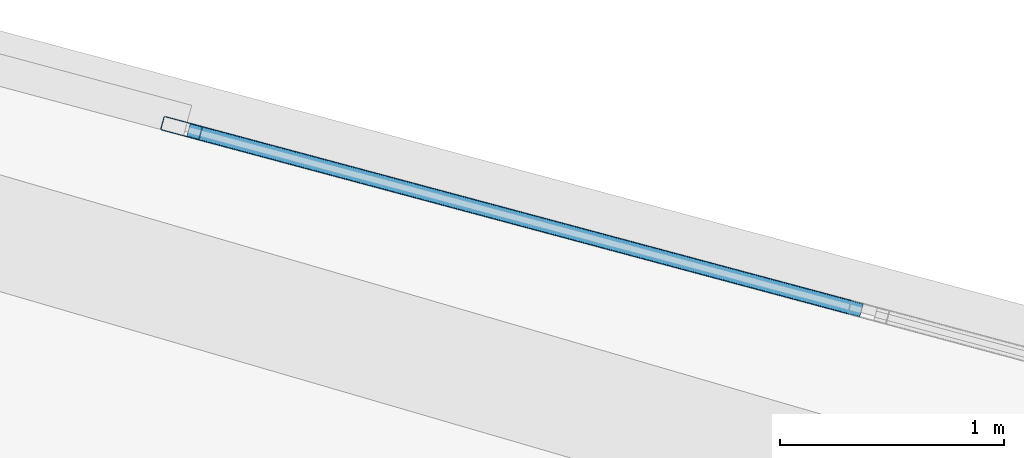
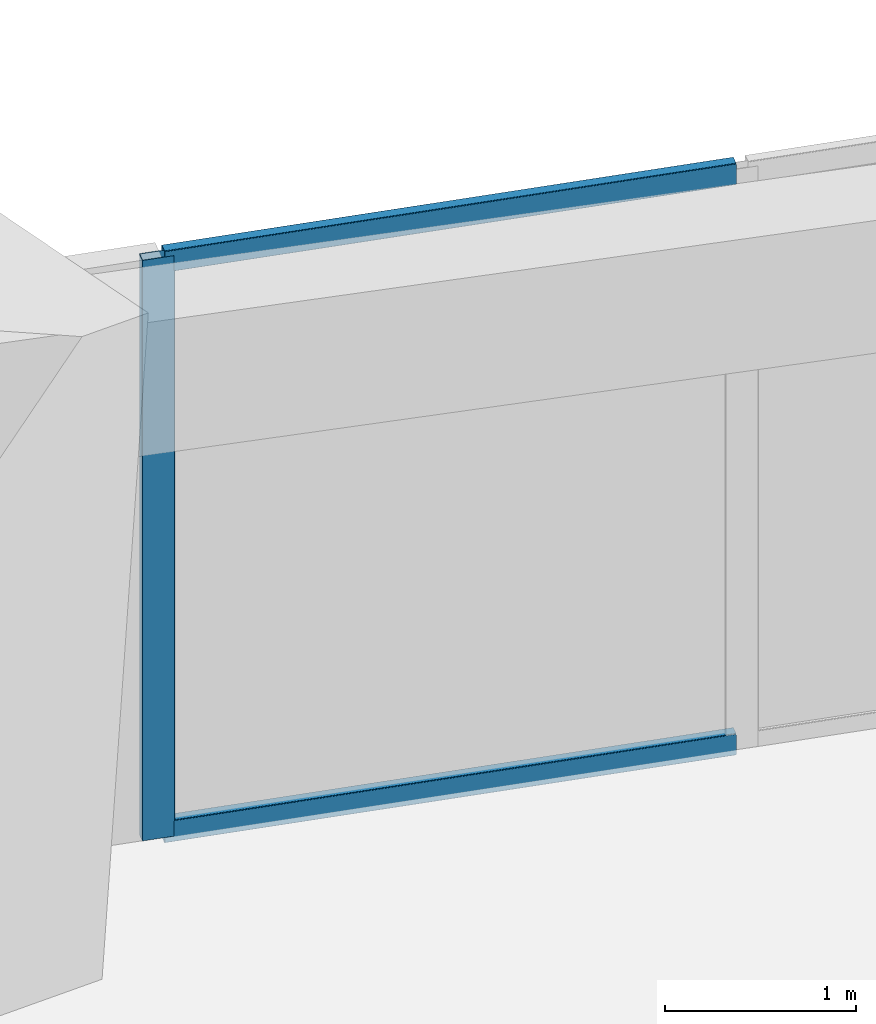
# One storey, part 15 of 26: 3 members, 1 element without a shape of its own.
"""IFC4 building model written with IfcOpenShell, lengths in metres."""

from ifc_helpers import new_model, si_unit, direction, frame, origin, origin_2d, place, context, subcontext, project, spatial, hollow_rectangle, extrude, source, transform, mapped, material, material_profile, profile_set, type_object, element, aggregate, save


model = new_model("IFC4")

# Units and contexts
model_context = context("Model", 3, precision=1e-05, world=origin(), true_north=direction((0.0, 1.0)))
body_context = subcontext(model_context, "Body", "Model", "MODEL_VIEW")
ifc_project = project(units=[si_unit("LENGTHUNIT", "METRE"), si_unit("AREAUNIT", "SQUARE_METRE"), si_unit("VOLUMEUNIT", "CUBIC_METRE"), si_unit("PLANEANGLEUNIT", "RADIAN"), si_unit("MASSUNIT", "GRAM", prefix="KILO")], contexts=[model_context])

# Site, building, storey
site_placement = place(None, origin())
site = spatial("IfcSite", under=ifc_project, at=site_placement, CompositionType="ELEMENT")
building_placement = place(site_placement, origin())
building = spatial("IfcBuilding", under=site, at=building_placement, Name="Torre Montelarca", CompositionType="ELEMENT")
storey_placement = place(building_placement, frame((0.0, 0.0, 104.199951171875)))
storey = spatial("IfcBuildingStorey", under=building, at=storey_placement, Name="L23", CompositionType="ELEMENT", Elevation=104.199951171875)

# Curtain wall, members
ifc_material_1 = material(Name="Insulated low-E laminated glass", Category="glass")
curtain_wall_type = type_object("IfcCurtainWallType", Name="CW-SYS-Z1", PredefinedType="USERDEFINED", material=ifc_material_1)
curtain_wall_placement = place(storey_placement, origin())
curtain_wall = element("IfcCurtainWall", 1, at=curtain_wall_placement, inside=storey, type_object=curtain_wall_type, Name="L23 Curtain Wall Run CW-T3-L23-E08-B4", ObjectType="UNITISED GLAZING", PredefinedType="USERDEFINED")
ifc_material_2 = material(Name="Anodised aluminium AA 6063-T6", Category="aluminium")
ifc_material_profile_1 = material_profile(ifc_material_2, hollow_rectangle(XDim=0.06494140625, YDim=0.139892578125, WallThickness=0.00390625, InnerFilletRadius=0.00390625, OuterFilletRadius=0.008056640625, at=origin_2d()), Name="ALU65X140X4", Category="aluminium")
ifc_profile_set_1 = profile_set([ifc_material_profile_1], Name="Anodised aluminium AA 6063-T6")
member_type_1 = type_object("IfcMemberType", Name="CWT-ALU140", PredefinedType="USERDEFINED", material=ifc_profile_set_1)
shared_shape_1 = source(origin(), body_context, "Body", "SweptSolid", [
    extrude(hollow_rectangle(XDim=0.06494140625, YDim=0.139892578125, WallThickness=0.00390625, InnerFilletRadius=0.00390625, OuterFilletRadius=0.008056640625, at=origin_2d()), origin(), (0.0, 0.0, 1.0), 3.105712890625),
])
member_1_placement = place(storey_placement, frame((18.0615234375, 49.558349609375, 0.032470703125), z_axis=(-0.965936824201, 0.258777996848, 0.0), x_axis=(-0.258777996848, -0.965936824201, 0.0)))
member_1 = element("IfcMember", 2, at=member_1_placement, type_object=member_type_1, Name="CW transom 2.1", ObjectType="TRANSOM", PredefinedType="USERDEFINED", context=body_context, shape_type="MappedRepresentation", body=[
    mapped(shared_shape_1, transform((0.0, 0.0, 0.0), scale=1.0)),
])
member_2_placement = place(storey_placement, frame((18.0615234375, 49.558349609375, 3.6875), z_axis=(-0.965936824201, 0.258777996848, 0.0), x_axis=(-0.258777996848, -0.965936824201, 0.0)))
member_2 = element("IfcMember", 3, at=member_2_placement, type_object=member_type_1, Name="CW transom 2.2", ObjectType="TRANSOM", PredefinedType="USERDEFINED", context=body_context, shape_type="MappedRepresentation", body=[
    mapped(shared_shape_1, transform((0.0, 0.0, 0.0), scale=1.0)),
])
ifc_material_profile_2 = material_profile(ifc_material_2, hollow_rectangle(XDim=0.06494140625, YDim=0.179931640625, WallThickness=0.00390625, InnerFilletRadius=0.00390625, OuterFilletRadius=0.008056640625, at=origin_2d()), Name="ALU65X180X4", Category="aluminium")
ifc_profile_set_2 = profile_set([ifc_material_profile_2], Name="Anodised aluminium AA 6063-T6")
member_type_2 = type_object("IfcMemberType", Name="CWM-ALU180", PredefinedType="MULLION", material=ifc_profile_set_2)
shared_shape_2 = source(origin(), body_context, "Body", "SweptSolid", [
    extrude(hollow_rectangle(XDim=0.06494140625, YDim=0.179931640625, WallThickness=0.00390625, InnerFilletRadius=0.00390625, OuterFilletRadius=0.008056640625, at=origin_2d()), origin(), (0.0, 0.0, 1.0), 3.719970703125),
])
member_3_placement = place(storey_placement, frame((15.0302734375, 50.37060546875, 0.0), z_axis=(0.0, 0.0, 1.0), x_axis=(-0.258815667433, -0.965926731327, 0.0)))
member_3 = element("IfcMember", 4, at=member_3_placement, type_object=member_type_2, Name="CW mullion 3", PredefinedType="MULLION", context=body_context, shape_type="MappedRepresentation", body=[
    mapped(shared_shape_2, transform((0.0, 0.0, 0.0), scale=1.0)),
])
aggregate(curtain_wall, [member_3, member_1, member_2])

save(model, "model.ifc")
